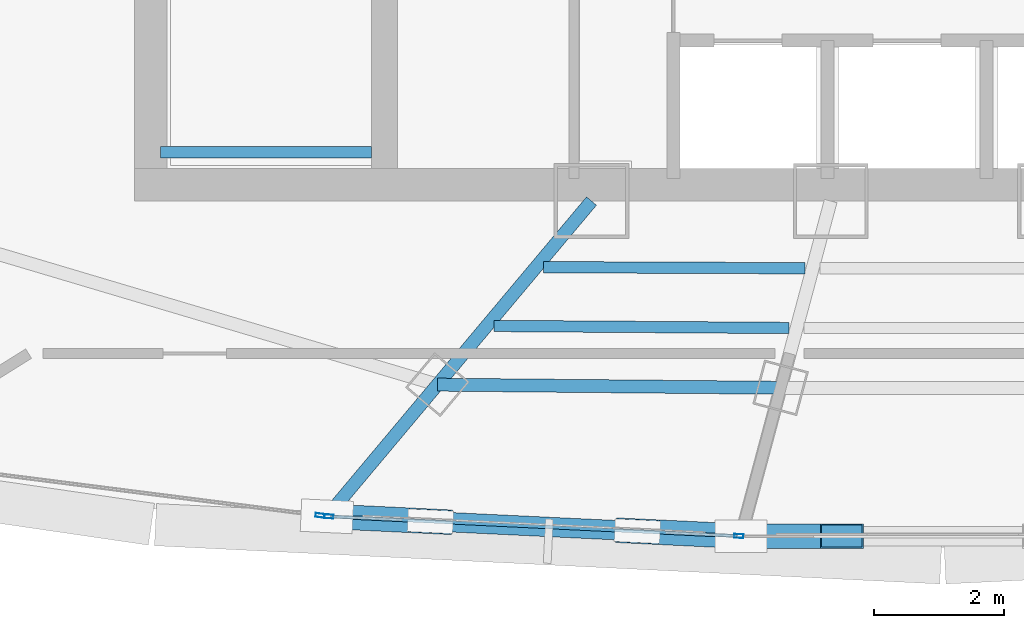
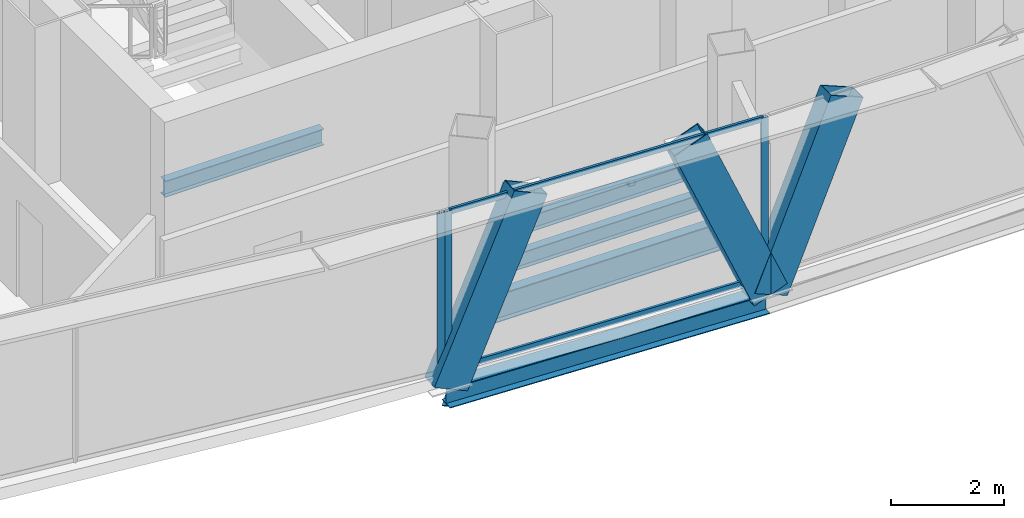
# One storey, part 4 of 30: 8 members, 6 beams, 2 elements without a shape of their own.
"""IFC4 building model written with IfcOpenShell, lengths in metres."""

from ifc_helpers import new_model, si_unit, direction, frame, origin, origin_2d, place, context, subcontext, project, spatial, hollow_rectangle, i_section, extrude, source, transform, mapped, material, layer, layer_set, material_profile, profile_set, type_object, element, aggregate, save


model = new_model("IFC4")

# Units and contexts
model_context = context("Model", 3, precision=1e-05, world=origin(), true_north=direction((0.0, 1.0)))
body_context = subcontext(model_context, "Body", "Model", "MODEL_VIEW")
ifc_project = project(units=[si_unit("LENGTHUNIT", "METRE"), si_unit("AREAUNIT", "SQUARE_METRE"), si_unit("VOLUMEUNIT", "CUBIC_METRE"), si_unit("PLANEANGLEUNIT", "RADIAN"), si_unit("MASSUNIT", "GRAM", prefix="KILO"), si_unit("THERMODYNAMICTEMPERATUREUNIT", "KELVIN"), si_unit("POWERUNIT", "WATT")], contexts=[model_context])

# Site, building, storey
site_placement = place(None, origin())
site = spatial("IfcSite", under=ifc_project, at=site_placement, CompositionType="ELEMENT")
building_placement = place(site_placement, origin())
building = spatial("IfcBuilding", under=site, at=building_placement, Name="Yunzhuo Pagoda Commons", CompositionType="ELEMENT")
storey_placement = place(building_placement, frame((0.0, 0.0, 351.760009765625)))
storey = spatial("IfcBuildingStorey", under=building, at=storey_placement, Name="L88", CompositionType="ELEMENT", Elevation=351.760009765625)

# Beams
ifc_material_1 = material(Name="Structural steel Q355B", Category="steel")
ifc_material_profile_1 = material_profile(ifc_material_1, i_section(OverallWidth=0.175048828125, OverallDepth=0.35009765625, WebThickness=0.007080078125, FlangeThickness=0.010986328125, at=origin_2d()), Name="Structural steel Q355B")
ifc_profile_set_1 = profile_set([ifc_material_profile_1], Name="Structural steel Q355B")
beam_type_1 = type_object("IfcBeamType", Name="B-JS2 Joist HN 350x175x7x11", PredefinedType="JOIST", material=ifc_profile_set_1)
shared_shape_1 = source(origin(), body_context, "Body", "SweptSolid", [
    extrude(i_section(OverallWidth=0.175048828125, OverallDepth=0.35009765625, WebThickness=0.007080078125, FlangeThickness=0.010986328125, at=origin_2d()), origin(), (0.0, 0.0, 1.0), 3.25),
])
beam_1_placement = place(storey_placement, frame((35.949951171875, 28.0, 1.5), z_axis=(1.0, 0.0, 0.0), x_axis=(0.0, 1.0, 0.0)))
element("IfcBeam", 1, at=beam_1_placement, inside=storey, type_object=beam_type_1, Name="L88 ST1 landing support beam 94A", PredefinedType="JOIST", context=body_context, shape_type="MappedRepresentation", body=[
    mapped(shared_shape_1, transform((0.0, 0.0, 0.0), scale=1.0)),
])
ifc_material_profile_2 = material_profile(ifc_material_1, i_section(OverallWidth=0.199951171875, OverallDepth=0.60009765625, WebThickness=0.010986328125, FlangeThickness=0.01708984375, at=origin_2d()), Name="Structural steel Q355B")
ifc_profile_set_2 = profile_set([ifc_material_profile_2], Name="Structural steel Q355B")
beam_type_2 = type_object("IfcBeamType", Name="B-RG3 Beam HN 600x200x11x17", PredefinedType="BEAM", material=ifc_profile_set_2)
shared_shape_2 = source(origin(), body_context, "Body", "SweptSolid", [
    extrude(i_section(OverallWidth=0.199951171875, OverallDepth=0.60009765625, WebThickness=0.010986328125, FlangeThickness=0.01708984375, at=origin_2d()), origin(), (0.0, 0.0, 1.0), 5.286376953125),
])
beam_2_placement = place(storey_placement, frame((40.214599609375, 24.421630859375, -0.56005859375), z_axis=(0.999957341442, -0.009236627946, 0.0), x_axis=(0.009236627946, 0.999957341442, 0.0)))
element("IfcBeam", 2, at=beam_2_placement, inside=storey, type_object=beam_type_2, Name="L88 column-ring beam 1", PredefinedType="BEAM", context=body_context, shape_type="MappedRepresentation", body=[
    mapped(shared_shape_2, transform((0.0, 0.0, 0.0), scale=1.0)),
])
shared_shape_3 = source(origin(), body_context, "Body", "SweptSolid", [
    extrude(i_section(OverallWidth=0.175048828125, OverallDepth=0.35009765625, WebThickness=0.007080078125, FlangeThickness=0.010986328125, at=origin_2d()), origin(), (0.0, 0.0, 1.0), 4.03076171875),
])
beam_3_placement = place(storey_placement, frame((41.848388671875, 26.231201171875, -0.43505859375), z_axis=(0.999991518197, -0.004118680996, 0.0), x_axis=(0.004118680996, 0.999991518197, 0.0)))
element("IfcBeam", 3, at=beam_3_placement, inside=storey, type_object=beam_type_1, Name="L88 composite ring joist 1.1", PredefinedType="JOIST", context=body_context, shape_type="MappedRepresentation", body=[
    mapped(shared_shape_3, transform((0.0, 0.0, 0.0), scale=1.0)),
])
shared_shape_4 = source(origin(), body_context, "Body", "SweptSolid", [
    extrude(i_section(OverallWidth=0.175048828125, OverallDepth=0.35009765625, WebThickness=0.007080078125, FlangeThickness=0.010986328125, at=origin_2d()), origin(), (0.0, 0.0, 1.0), 4.54345703125),
])
beam_4_placement = place(storey_placement, frame((41.089111328125, 25.325927734375, -0.43505859375), z_axis=(0.999975976237, -0.006931590593, 0.0), x_axis=(0.006931590593, 0.999975976237, 0.0)))
element("IfcBeam", 4, at=beam_4_placement, inside=storey, type_object=beam_type_1, Name="L88 composite ring joist 2.1", PredefinedType="JOIST", context=body_context, shape_type="MappedRepresentation", body=[
    mapped(shared_shape_4, transform((0.0, 0.0, 0.0), scale=1.0)),
])
shared_shape_5 = source(origin(), body_context, "Body", "SweptSolid", [
    extrude(i_section(OverallWidth=0.199951171875, OverallDepth=0.60009765625, WebThickness=0.010986328125, FlangeThickness=0.01708984375, at=origin_2d()), origin(), (0.0, 0.0, 1.0), 6.18505859375),
])
beam_5_placement = place(storey_placement, frame((38.6123046875, 22.511962890625, -0.56005859375), z_axis=(0.642778192614, 0.766052344882, 0.0), x_axis=(-0.766052344882, 0.642778192614, 0.0)))
element("IfcBeam", 5, at=beam_5_placement, inside=storey, type_object=beam_type_2, Name="L88 radial floor girder F1C1", PredefinedType="BEAM", context=body_context, shape_type="MappedRepresentation", body=[
    mapped(shared_shape_5, transform((0.0, 0.0, 0.0), scale=1.0)),
])
ifc_material_profile_3 = material_profile(ifc_material_1, i_section(OverallWidth=0.300048828125, OverallDepth=0.43994140625, WebThickness=0.010986328125, FlangeThickness=0.01806640625, at=origin_2d()), Name="Structural steel Q355B")
ifc_profile_set_3 = profile_set([ifc_material_profile_3], Name="Structural steel Q355B")
beam_type_3 = type_object("IfcBeamType", Name="B-SP2 Beam HM 440x300x11x18", PredefinedType="BEAM", material=ifc_profile_set_3)
shared_shape_6 = source(origin(), body_context, "Body", "SweptSolid", [
    extrude(i_section(OverallWidth=0.300048828125, OverallDepth=0.43994140625, WebThickness=0.010986328125, FlangeThickness=0.01806640625, at=origin_2d()), origin(), (0.0, 0.0, 1.0), 6.38330078125),
])
beam_6_placement = place(storey_placement, frame((38.512451171875, 22.3935546875, -0.47998046875), z_axis=(0.998852857038, -0.04788496619, 0.0), x_axis=(0.04788496619, 0.998852857038, 0.0)))
element("IfcBeam", 6, at=beam_6_placement, inside=storey, type_object=beam_type_3, Name="L88 facade edge spandrel beam F1.1", PredefinedType="BEAM", context=body_context, shape_type="MappedRepresentation", body=[
    mapped(shared_shape_6, transform((0.0, 0.0, 0.0), scale=1.0)),
])

# Members
ifc_material_profile_4 = material_profile(ifc_material_1, hollow_rectangle(XDim=0.3798828125, YDim=0.719970703125, WallThickness=0.02001953125, at=origin_2d()), Name="Structural steel Q355B")
ifc_profile_set_4 = profile_set([ifc_material_profile_4], Name="Structural steel Q355B")
member_type_1 = type_object("IfcMemberType", Name="M-DL3 Brace BOX 720x380x20", PredefinedType="BRACE", material=ifc_profile_set_4)
shared_shape_7 = source(origin(), body_context, "Body", "SweptSolid", [
    extrude(hollow_rectangle(XDim=0.3798828125, YDim=0.719970703125, WallThickness=0.02001953125, at=origin_2d()), origin(), (0.0, 0.0, 1.0), 4.075439453125),
])
for number, where, z_axis, x_axis, name in (
    (7, (38.512451171875, 22.3935546875, -0.260009765625), (0.391122616009, -0.018750402636, 0.92014755428), (0.04788496619, 0.998852857038, 0.0), "L88 facade diamond brace F1.1L"),
    (8, (44.888427734375, 22.087890625, -0.260009765625), (-0.391122616009, 0.018750402636, 0.92014755428), (-0.04788496619, -0.998852857038, 0.0), "L88 facade diamond brace F1.1R"),
):
    element("IfcMember", number, at=place(storey_placement, frame(where, z_axis=z_axis, x_axis=x_axis)), inside=storey, type_object=member_type_1, Name=name, PredefinedType="BRACE", context=body_context, shape_type="MappedRepresentation", body=[
        mapped(shared_shape_7, transform((0.0, 0.0, 0.0), scale=1.0)),
    ])
shared_shape_8 = source(origin(), body_context, "Body", "SweptSolid", [
    extrude(hollow_rectangle(XDim=0.3798828125, YDim=0.719970703125, WallThickness=0.02001953125, at=origin_2d()), origin(), (0.0, 0.0, 1.0), 4.059814453125),
])
member_1_placement = place(storey_placement, frame((44.888427734375, 22.087890625, -0.260009765625), z_axis=(0.383180219936, 0.0, 0.923673599845), x_axis=(0.0, 1.0, 0.0)))
element("IfcMember", 9, at=member_1_placement, inside=storey, type_object=member_type_1, Name="L88 facade diamond brace F1.2L", PredefinedType="BRACE", context=body_context, shape_type="MappedRepresentation", body=[
    mapped(shared_shape_8, transform((0.0, 0.0, 0.0), scale=1.0)),
])

# Curtain wall, members
ifc_material_2 = material(Name="Anodized aluminium 6063-T6", Category="aluminium")
ifc_layer = layer(ifc_material_2, 0.139892578125)
ifc_layer_set = layer_set([ifc_layer], Name="Anodized aluminium 6063-T6")
curtain_wall_type = type_object("IfcCurtainWallType", Name="CW-HI High-Zone Ribbon Curtain Wall", PredefinedType="NOTDEFINED", material=ifc_layer_set)
curtain_wall_1_placement = place(storey_placement, origin())
curtain_wall_1 = element("IfcCurtainWall", 10, at=curtain_wall_1_placement, inside=storey, type_object=curtain_wall_type, Name="L88 curtain wall CW-L88-F1B2", PredefinedType="NOTDEFINED")
ifc_material_profile_5 = material_profile(ifc_material_2, hollow_rectangle(XDim=0.06005859375, YDim=0.139892578125, WallThickness=0.00341796875, at=origin_2d()), Name="Anodized aluminium 6063-T6")
ifc_profile_set_5 = profile_set([ifc_material_profile_5], Name="Anodized aluminium 6063-T6")
member_type_2 = type_object("IfcMemberType", Name="CW-HI-M Mullion RHS 140x60x3.5", PredefinedType="MULLION", material=ifc_profile_set_5)
shared_shape_9 = source(origin(), body_context, "Body", "SweptSolid", [
    extrude(hollow_rectangle(XDim=0.06005859375, YDim=0.139892578125, WallThickness=0.00341796875, at=origin_2d()), origin(), (0.0, 0.0, 1.0), 3.489990234375),
])
member_2_placement = place(storey_placement, frame((38.542724609375, 22.391845703125, 0.0), z_axis=(0.0, 0.0, 1.0), x_axis=(0.047859147719, 0.99885409444, 0.0)))
member_2 = element("IfcMember", 11, at=member_2_placement, type_object=member_type_2, Name="CW mullion 1", PredefinedType="MULLION", context=body_context, shape_type="MappedRepresentation", body=[
    mapped(shared_shape_9, transform((0.0, 0.0, 0.0), scale=1.0)),
])
member_3_placement = place(storey_placement, frame((44.858642578125, 22.089111328125, 0.0), z_axis=(0.0, 0.0, 1.0), x_axis=(0.047859147719, 0.99885409444, 0.0)))
member_3 = element("IfcMember", 12, at=member_3_placement, type_object=member_type_2, Name="CW mullion 2", PredefinedType="MULLION", context=body_context, shape_type="MappedRepresentation", body=[
    mapped(shared_shape_9, transform((0.0, 0.0, 0.0), scale=1.0)),
])

# Curtain wall, member
curtain_wall_2_placement = place(storey_placement, origin())
curtain_wall_2 = element("IfcCurtainWall", 13, at=curtain_wall_2_placement, inside=storey, type_object=curtain_wall_type, Name="L88 curtain wall CW-L88-F1B1", PredefinedType="NOTDEFINED")
member_4_placement = place(storey_placement, frame((38.408447265625, 22.406494140625, 0.0), z_axis=(0.0, 0.0, 1.0), x_axis=(0.126570661327, 0.991957593696, 0.0)))
member_4 = element("IfcMember", 14, at=member_4_placement, type_object=member_type_2, Name="CW mullion 2", PredefinedType="MULLION", context=body_context, shape_type="MappedRepresentation", body=[
    mapped(shared_shape_9, transform((0.0, 0.0, 0.0), scale=1.0)),
])
aggregate(curtain_wall_2, [member_4])

# Member
ifc_material_profile_6 = material_profile(ifc_material_2, hollow_rectangle(XDim=0.054931640625, YDim=0.1201171875, WallThickness=0.00341796875, at=origin_2d()), Name="Anodized aluminium 6063-T6")
ifc_profile_set_6 = profile_set([ifc_material_profile_6], Name="Anodized aluminium 6063-T6")
member_type_3 = type_object("IfcMemberType", Name="CW-HI-T Transom RHS 120x55x3.5", PredefinedType="USERDEFINED", material=ifc_profile_set_6)
shared_shape_10 = source(origin(), body_context, "Body", "SweptSolid", [
    extrude(hollow_rectangle(XDim=0.054931640625, YDim=0.1201171875, WallThickness=0.00341796875, at=origin_2d()), origin(), (0.0, 0.0, 1.0), 6.26318359375),
])
member_5_placement = place(storey_placement, frame((38.572509765625, 22.390380859375, 0.027587890625), z_axis=(0.998853717259, -0.047867019114, 0.0), x_axis=(0.047867019114, 0.998853717259, 0.0)))
member_5 = element("IfcMember", 15, at=member_5_placement, type_object=member_type_3, Name="CW transom 1.1", ObjectType="TRANSOM", PredefinedType="USERDEFINED", context=body_context, shape_type="MappedRepresentation", body=[
    mapped(shared_shape_10, transform((0.0, 0.0, 0.0), scale=1.0)),
])

member_6_placement = place(storey_placement, frame((38.572509765625, 22.390380859375, 3.46240234375), z_axis=(0.998853717259, -0.047867019114, 0.0), x_axis=(0.047867019114, 0.998853717259, 0.0)))
member_6 = element("IfcMember", 16, at=member_6_placement, type_object=member_type_3, Name="CW transom 1.2", ObjectType="TRANSOM", PredefinedType="USERDEFINED", context=body_context, shape_type="MappedRepresentation", body=[
    mapped(shared_shape_10, transform((0.0, 0.0, 0.0), scale=1.0)),
])

aggregate(curtain_wall_1, [member_2, member_3, member_5, member_6])

save(model, "model.ifc")
